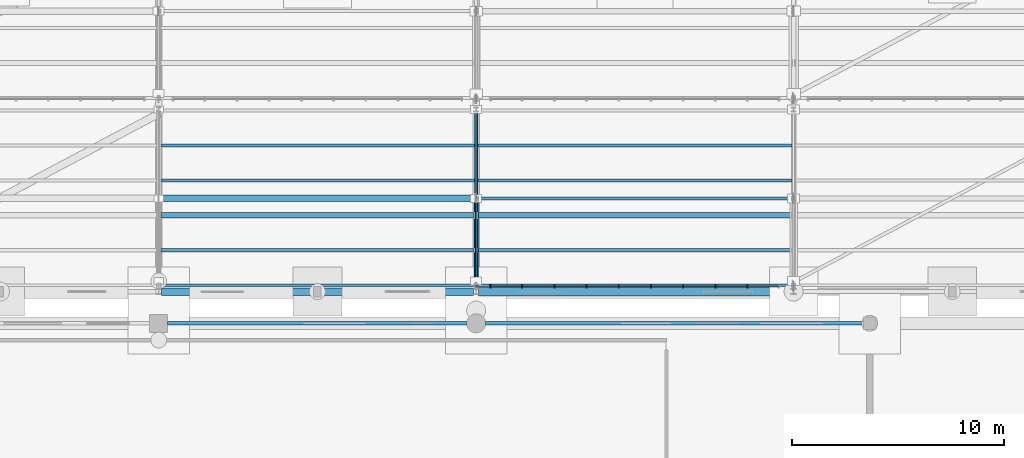
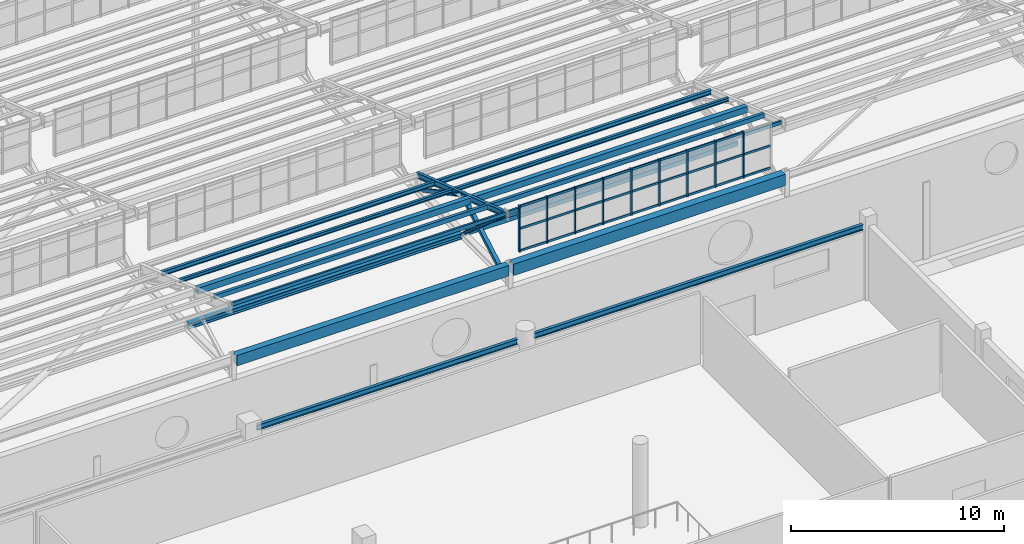
# One storey, part 43 of 285: 40 members, 15 beams, 1 element without a shape of its own.
"""IFC4 building model written with IfcOpenShell, lengths in metres."""

from ifc_helpers import new_model, si_unit, direction, frame, origin, origin_2d, place, context, subcontext, project, spatial, rectangle, hollow_rectangle, hollow_circle, i_section, extrude, material, material_profile, profile_set, type_object, element, aggregate, save


model = new_model("IFC4")

# Units and contexts
model_context = context("Model", 3, precision=1e-05, world=origin(), true_north=direction((0.0, 1.0)))
body_context = subcontext(model_context, "Body", "Model", "MODEL_VIEW")
ifc_project = project(units=[si_unit("LENGTHUNIT", "METRE"), si_unit("AREAUNIT", "SQUARE_METRE"), si_unit("VOLUMEUNIT", "CUBIC_METRE"), si_unit("PLANEANGLEUNIT", "RADIAN"), si_unit("MASSUNIT", "GRAM", prefix="KILO")], contexts=[model_context])

# Site, building, storey
site_placement = place(None, origin())
site = spatial("IfcSite", under=ifc_project, at=site_placement, CompositionType="ELEMENT")
building_placement = place(site_placement, origin())
building = spatial("IfcBuilding", under=site, at=building_placement, Name="Solanera Park Tramway Depot", CompositionType="ELEMENT")
storey_placement = place(building_placement, origin())
storey = spatial("IfcBuildingStorey", under=building, at=storey_placement, Name="L00", CompositionType="ELEMENT", Elevation=0.0)

# Curtain wall, members
ifc_material_1 = material(Name="Bronze-anodised thermally broken aluminium curtain wall", Category="aluminium")
curtain_wall_type = type_object("IfcCurtainWallType", Name="Sawtooth Clerestory Monitor Curtain Wall", PredefinedType="NOTDEFINED", material=ifc_material_1)
curtain_wall_placement = place(storey_placement, origin())
curtain_wall = element("IfcCurtainWall", 1, at=curtain_wall_placement, inside=storey, type_object=curtain_wall_type, Name="L00 Sawtooth Clerestory Monitor Curtain Wall #002", PredefinedType="NOTDEFINED")
ifc_material_2 = material(Name="Bronze-anodised structural aluminium 6063-T6", Category="aluminium")
ifc_material_profile_1 = material_profile(ifc_material_2, rectangle(XDim=0.06494140625, YDim=0.14990234375, at=origin_2d()), Name="Curtain Wall Mullion 65x150")
ifc_profile_set_1 = profile_set([ifc_material_profile_1], Name="Bronze-anodised structural aluminium 6063-T6")
member_type_1 = type_object("IfcMemberType", Name="Curtain Wall Mullion 65x150", PredefinedType="MULLION", material=ifc_profile_set_1)
member_1_placement = place(storey_placement, frame((75.6826171875, 55.75, 7.75), z_axis=(0.0, 0.0, 1.0), x_axis=(1.0, 0.0, 0.0)))
member_1 = element("IfcMember", 2, at=member_1_placement, type_object=member_type_1, Name="CW-L00-002 Mullion 1", PredefinedType="MULLION", context=body_context, shape_type="SweptSolid", body=[
    extrude(rectangle(XDim=0.06494140625, YDim=0.14990234375, at=origin_2d()), origin(), (0.0, 0.0, 1.0), 2.6611328125),
])
member_2_placement = place(storey_placement, frame((77.172119140625, 55.75, 7.75), z_axis=(0.0, 0.0, 1.0), x_axis=(1.0, 0.0, 0.0)))
member_2 = element("IfcMember", 3, at=member_2_placement, type_object=member_type_1, Name="CW-L00-002 Mullion 2", PredefinedType="MULLION", context=body_context, shape_type="SweptSolid", body=[
    extrude(rectangle(XDim=0.06494140625, YDim=0.14990234375, at=origin_2d()), origin(), (0.0, 0.0, 1.0), 2.6611328125),
])
member_3_placement = place(storey_placement, frame((78.6943359375, 55.75, 7.75), z_axis=(0.0, 0.0, 1.0), x_axis=(1.0, 0.0, 0.0)))
member_3 = element("IfcMember", 4, at=member_3_placement, type_object=member_type_1, Name="CW-L00-002 Mullion 3", PredefinedType="MULLION", context=body_context, shape_type="SweptSolid", body=[
    extrude(rectangle(XDim=0.06494140625, YDim=0.14990234375, at=origin_2d()), origin(), (0.0, 0.0, 1.0), 2.6611328125),
])
member_4_placement = place(storey_placement, frame((80.216796875, 55.75, 7.75), z_axis=(0.0, 0.0, 1.0), x_axis=(1.0, 0.0, 0.0)))
member_4 = element("IfcMember", 5, at=member_4_placement, type_object=member_type_1, Name="CW-L00-002 Mullion 4", PredefinedType="MULLION", context=body_context, shape_type="SweptSolid", body=[
    extrude(rectangle(XDim=0.06494140625, YDim=0.14990234375, at=origin_2d()), origin(), (0.0, 0.0, 1.0), 2.6611328125),
])
member_5_placement = place(storey_placement, frame((81.739013671875, 55.75, 7.75), z_axis=(0.0, 0.0, 1.0), x_axis=(1.0, 0.0, 0.0)))
member_5 = element("IfcMember", 6, at=member_5_placement, type_object=member_type_1, Name="CW-L00-002 Mullion 5", PredefinedType="MULLION", context=body_context, shape_type="SweptSolid", body=[
    extrude(rectangle(XDim=0.06494140625, YDim=0.14990234375, at=origin_2d()), origin(), (0.0, 0.0, 1.0), 2.6611328125),
])
member_6_placement = place(storey_placement, frame((83.260986328125, 55.75, 7.75), z_axis=(0.0, 0.0, 1.0), x_axis=(1.0, 0.0, 0.0)))
member_6 = element("IfcMember", 7, at=member_6_placement, type_object=member_type_1, Name="CW-L00-002 Mullion 6", PredefinedType="MULLION", context=body_context, shape_type="SweptSolid", body=[
    extrude(rectangle(XDim=0.06494140625, YDim=0.14990234375, at=origin_2d()), origin(), (0.0, 0.0, 1.0), 2.6611328125),
])
member_7_placement = place(storey_placement, frame((84.783203125, 55.75, 7.75), z_axis=(0.0, 0.0, 1.0), x_axis=(1.0, 0.0, 0.0)))
member_7 = element("IfcMember", 8, at=member_7_placement, type_object=member_type_1, Name="CW-L00-002 Mullion 7", PredefinedType="MULLION", context=body_context, shape_type="SweptSolid", body=[
    extrude(rectangle(XDim=0.06494140625, YDim=0.14990234375, at=origin_2d()), origin(), (0.0, 0.0, 1.0), 2.6611328125),
])
member_8_placement = place(storey_placement, frame((86.3056640625, 55.75, 7.75), z_axis=(0.0, 0.0, 1.0), x_axis=(1.0, 0.0, 0.0)))
member_8 = element("IfcMember", 9, at=member_8_placement, type_object=member_type_1, Name="CW-L00-002 Mullion 8", PredefinedType="MULLION", context=body_context, shape_type="SweptSolid", body=[
    extrude(rectangle(XDim=0.06494140625, YDim=0.14990234375, at=origin_2d()), origin(), (0.0, 0.0, 1.0), 2.6611328125),
])
member_9_placement = place(storey_placement, frame((87.827880859375, 55.75, 7.75), z_axis=(0.0, 0.0, 1.0), x_axis=(1.0, 0.0, 0.0)))
member_9 = element("IfcMember", 10, at=member_9_placement, type_object=member_type_1, Name="CW-L00-002 Mullion 9", PredefinedType="MULLION", context=body_context, shape_type="SweptSolid", body=[
    extrude(rectangle(XDim=0.06494140625, YDim=0.14990234375, at=origin_2d()), origin(), (0.0, 0.0, 1.0), 2.6611328125),
])
ifc_material_3 = material(Name="Bronze-anodised structural aluminium 6063-T6", Category="aluminium")
ifc_material_profile_2 = material_profile(ifc_material_3, rectangle(XDim=0.06494140625, YDim=0.1201171875, at=origin_2d()), Name="Curtain Wall Transom 65x120")
ifc_profile_set_2 = profile_set([ifc_material_profile_2], Name="Bronze-anodised structural aluminium 6063-T6")
member_type_2 = type_object("IfcMemberType", Name="Curtain Wall Transom 65x120", PredefinedType="USERDEFINED", material=ifc_profile_set_2)
member_10_placement = place(storey_placement, frame((75.71044921875, 55.75, 7.81005859375), z_axis=(1.0, 0.0, 0.0), x_axis=(0.0, 1.0, 0.0)))
member_10 = element("IfcMember", 11, at=member_10_placement, type_object=member_type_2, Name="CW-L00-002 Transom R1.C1", ObjectType="TRANSOM", PredefinedType="USERDEFINED", context=body_context, shape_type="SweptSolid", body=[
    extrude(rectangle(XDim=0.06494140625, YDim=0.1201171875, at=origin_2d()), origin(), (0.0, 0.0, 1.0), 1.433837890625),
])
member_11_placement = place(storey_placement, frame((77.2001953125, 55.75, 7.81005859375), z_axis=(1.0, 0.0, 0.0), x_axis=(0.0, 1.0, 0.0)))
member_11 = element("IfcMember", 12, at=member_11_placement, type_object=member_type_2, Name="CW-L00-002 Transom R1.C2", ObjectType="TRANSOM", PredefinedType="USERDEFINED", context=body_context, shape_type="SweptSolid", body=[
    extrude(rectangle(XDim=0.06494140625, YDim=0.1201171875, at=origin_2d()), origin(), (0.0, 0.0, 1.0), 1.46630859375),
])
member_12_placement = place(storey_placement, frame((78.722412109375, 55.75, 7.81005859375), z_axis=(1.0, 0.0, 0.0), x_axis=(0.0, 1.0, 0.0)))
member_12 = element("IfcMember", 13, at=member_12_placement, type_object=member_type_2, Name="CW-L00-002 Transom R1.C3", ObjectType="TRANSOM", PredefinedType="USERDEFINED", context=body_context, shape_type="SweptSolid", body=[
    extrude(rectangle(XDim=0.06494140625, YDim=0.1201171875, at=origin_2d()), origin(), (0.0, 0.0, 1.0), 1.46630859375),
])
member_13_placement = place(storey_placement, frame((80.24462890625, 55.75, 7.81005859375), z_axis=(1.0, 0.0, 0.0), x_axis=(0.0, 1.0, 0.0)))
member_13 = element("IfcMember", 14, at=member_13_placement, type_object=member_type_2, Name="CW-L00-002 Transom R1.C4", ObjectType="TRANSOM", PredefinedType="USERDEFINED", context=body_context, shape_type="SweptSolid", body=[
    extrude(rectangle(XDim=0.06494140625, YDim=0.1201171875, at=origin_2d()), origin(), (0.0, 0.0, 1.0), 1.46630859375),
])
member_14_placement = place(storey_placement, frame((81.766845703125, 55.75, 7.81005859375), z_axis=(1.0, 0.0, 0.0), x_axis=(0.0, 1.0, 0.0)))
member_14 = element("IfcMember", 15, at=member_14_placement, type_object=member_type_2, Name="CW-L00-002 Transom R1.C5", ObjectType="TRANSOM", PredefinedType="USERDEFINED", context=body_context, shape_type="SweptSolid", body=[
    extrude(rectangle(XDim=0.06494140625, YDim=0.1201171875, at=origin_2d()), origin(), (0.0, 0.0, 1.0), 1.46630859375),
])
member_15_placement = place(storey_placement, frame((83.2890625, 55.75, 7.81005859375), z_axis=(1.0, 0.0, 0.0), x_axis=(0.0, 1.0, 0.0)))
member_15 = element("IfcMember", 16, at=member_15_placement, type_object=member_type_2, Name="CW-L00-002 Transom R1.C6", ObjectType="TRANSOM", PredefinedType="USERDEFINED", context=body_context, shape_type="SweptSolid", body=[
    extrude(rectangle(XDim=0.06494140625, YDim=0.1201171875, at=origin_2d()), origin(), (0.0, 0.0, 1.0), 1.46630859375),
])
member_16_placement = place(storey_placement, frame((84.811279296875, 55.75, 7.81005859375), z_axis=(1.0, 0.0, 0.0), x_axis=(0.0, 1.0, 0.0)))
member_16 = element("IfcMember", 17, at=member_16_placement, type_object=member_type_2, Name="CW-L00-002 Transom R1.C7", ObjectType="TRANSOM", PredefinedType="USERDEFINED", context=body_context, shape_type="SweptSolid", body=[
    extrude(rectangle(XDim=0.06494140625, YDim=0.1201171875, at=origin_2d()), origin(), (0.0, 0.0, 1.0), 1.46630859375),
])
member_17_placement = place(storey_placement, frame((86.33349609375, 55.75, 7.81005859375), z_axis=(1.0, 0.0, 0.0), x_axis=(0.0, 1.0, 0.0)))
member_17 = element("IfcMember", 18, at=member_17_placement, type_object=member_type_2, Name="CW-L00-002 Transom R1.C8", ObjectType="TRANSOM", PredefinedType="USERDEFINED", context=body_context, shape_type="SweptSolid", body=[
    extrude(rectangle(XDim=0.06494140625, YDim=0.1201171875, at=origin_2d()), origin(), (0.0, 0.0, 1.0), 1.46630859375),
])
member_18_placement = place(storey_placement, frame((87.855712890625, 55.75, 7.81005859375), z_axis=(1.0, 0.0, 0.0), x_axis=(0.0, 1.0, 0.0)))
member_18 = element("IfcMember", 19, at=member_18_placement, type_object=member_type_2, Name="CW-L00-002 Transom R1.C9", ObjectType="TRANSOM", PredefinedType="USERDEFINED", context=body_context, shape_type="SweptSolid", body=[
    extrude(rectangle(XDim=0.06494140625, YDim=0.1201171875, at=origin_2d()), origin(), (0.0, 0.0, 1.0), 1.433837890625),
])
member_19_placement = place(storey_placement, frame((75.71044921875, 55.75, 9.08056640625), z_axis=(1.0, 0.0, 0.0), x_axis=(0.0, 1.0, 0.0)))
member_19 = element("IfcMember", 20, at=member_19_placement, type_object=member_type_2, Name="CW-L00-002 Transom R2.C1", ObjectType="TRANSOM", PredefinedType="USERDEFINED", context=body_context, shape_type="SweptSolid", body=[
    extrude(rectangle(XDim=0.06494140625, YDim=0.1201171875, at=origin_2d()), origin(), (0.0, 0.0, 1.0), 1.433837890625),
])
member_20_placement = place(storey_placement, frame((77.2001953125, 55.75, 9.08056640625), z_axis=(1.0, 0.0, 0.0), x_axis=(0.0, 1.0, 0.0)))
member_20 = element("IfcMember", 21, at=member_20_placement, type_object=member_type_2, Name="CW-L00-002 Transom R2.C2", ObjectType="TRANSOM", PredefinedType="USERDEFINED", context=body_context, shape_type="SweptSolid", body=[
    extrude(rectangle(XDim=0.06494140625, YDim=0.1201171875, at=origin_2d()), origin(), (0.0, 0.0, 1.0), 1.46630859375),
])
member_21_placement = place(storey_placement, frame((78.722412109375, 55.75, 9.08056640625), z_axis=(1.0, 0.0, 0.0), x_axis=(0.0, 1.0, 0.0)))
member_21 = element("IfcMember", 22, at=member_21_placement, type_object=member_type_2, Name="CW-L00-002 Transom R2.C3", ObjectType="TRANSOM", PredefinedType="USERDEFINED", context=body_context, shape_type="SweptSolid", body=[
    extrude(rectangle(XDim=0.06494140625, YDim=0.1201171875, at=origin_2d()), origin(), (0.0, 0.0, 1.0), 1.46630859375),
])
member_22_placement = place(storey_placement, frame((80.24462890625, 55.75, 9.08056640625), z_axis=(1.0, 0.0, 0.0), x_axis=(0.0, 1.0, 0.0)))
member_22 = element("IfcMember", 23, at=member_22_placement, type_object=member_type_2, Name="CW-L00-002 Transom R2.C4", ObjectType="TRANSOM", PredefinedType="USERDEFINED", context=body_context, shape_type="SweptSolid", body=[
    extrude(rectangle(XDim=0.06494140625, YDim=0.1201171875, at=origin_2d()), origin(), (0.0, 0.0, 1.0), 1.46630859375),
])
member_23_placement = place(storey_placement, frame((81.766845703125, 55.75, 9.08056640625), z_axis=(1.0, 0.0, 0.0), x_axis=(0.0, 1.0, 0.0)))
member_23 = element("IfcMember", 24, at=member_23_placement, type_object=member_type_2, Name="CW-L00-002 Transom R2.C5", ObjectType="TRANSOM", PredefinedType="USERDEFINED", context=body_context, shape_type="SweptSolid", body=[
    extrude(rectangle(XDim=0.06494140625, YDim=0.1201171875, at=origin_2d()), origin(), (0.0, 0.0, 1.0), 1.46630859375),
])
member_24_placement = place(storey_placement, frame((83.2890625, 55.75, 9.08056640625), z_axis=(1.0, 0.0, 0.0), x_axis=(0.0, 1.0, 0.0)))
member_24 = element("IfcMember", 25, at=member_24_placement, type_object=member_type_2, Name="CW-L00-002 Transom R2.C6", ObjectType="TRANSOM", PredefinedType="USERDEFINED", context=body_context, shape_type="SweptSolid", body=[
    extrude(rectangle(XDim=0.06494140625, YDim=0.1201171875, at=origin_2d()), origin(), (0.0, 0.0, 1.0), 1.46630859375),
])
member_25_placement = place(storey_placement, frame((84.811279296875, 55.75, 9.08056640625), z_axis=(1.0, 0.0, 0.0), x_axis=(0.0, 1.0, 0.0)))
member_25 = element("IfcMember", 26, at=member_25_placement, type_object=member_type_2, Name="CW-L00-002 Transom R2.C7", ObjectType="TRANSOM", PredefinedType="USERDEFINED", context=body_context, shape_type="SweptSolid", body=[
    extrude(rectangle(XDim=0.06494140625, YDim=0.1201171875, at=origin_2d()), origin(), (0.0, 0.0, 1.0), 1.46630859375),
])
member_26_placement = place(storey_placement, frame((86.33349609375, 55.75, 9.08056640625), z_axis=(1.0, 0.0, 0.0), x_axis=(0.0, 1.0, 0.0)))
member_26 = element("IfcMember", 27, at=member_26_placement, type_object=member_type_2, Name="CW-L00-002 Transom R2.C8", ObjectType="TRANSOM", PredefinedType="USERDEFINED", context=body_context, shape_type="SweptSolid", body=[
    extrude(rectangle(XDim=0.06494140625, YDim=0.1201171875, at=origin_2d()), origin(), (0.0, 0.0, 1.0), 1.46630859375),
])
member_27_placement = place(storey_placement, frame((87.855712890625, 55.75, 9.08056640625), z_axis=(1.0, 0.0, 0.0), x_axis=(0.0, 1.0, 0.0)))
member_27 = element("IfcMember", 28, at=member_27_placement, type_object=member_type_2, Name="CW-L00-002 Transom R2.C9", ObjectType="TRANSOM", PredefinedType="USERDEFINED", context=body_context, shape_type="SweptSolid", body=[
    extrude(rectangle(XDim=0.06494140625, YDim=0.1201171875, at=origin_2d()), origin(), (0.0, 0.0, 1.0), 1.433837890625),
])
member_28_placement = place(storey_placement, frame((75.71044921875, 55.75, 10.351318359375), z_axis=(1.0, 0.0, 0.0), x_axis=(0.0, 1.0, 0.0)))
member_28 = element("IfcMember", 29, at=member_28_placement, type_object=member_type_2, Name="CW-L00-002 Transom R3.C1", ObjectType="TRANSOM", PredefinedType="USERDEFINED", context=body_context, shape_type="SweptSolid", body=[
    extrude(rectangle(XDim=0.06494140625, YDim=0.1201171875, at=origin_2d()), origin(), (0.0, 0.0, 1.0), 1.433837890625),
])
member_29_placement = place(storey_placement, frame((77.2001953125, 55.75, 10.351318359375), z_axis=(1.0, 0.0, 0.0), x_axis=(0.0, 1.0, 0.0)))
member_29 = element("IfcMember", 30, at=member_29_placement, type_object=member_type_2, Name="CW-L00-002 Transom R3.C2", ObjectType="TRANSOM", PredefinedType="USERDEFINED", context=body_context, shape_type="SweptSolid", body=[
    extrude(rectangle(XDim=0.06494140625, YDim=0.1201171875, at=origin_2d()), origin(), (0.0, 0.0, 1.0), 1.46630859375),
])
member_30_placement = place(storey_placement, frame((78.722412109375, 55.75, 10.351318359375), z_axis=(1.0, 0.0, 0.0), x_axis=(0.0, 1.0, 0.0)))
member_30 = element("IfcMember", 31, at=member_30_placement, type_object=member_type_2, Name="CW-L00-002 Transom R3.C3", ObjectType="TRANSOM", PredefinedType="USERDEFINED", context=body_context, shape_type="SweptSolid", body=[
    extrude(rectangle(XDim=0.06494140625, YDim=0.1201171875, at=origin_2d()), origin(), (0.0, 0.0, 1.0), 1.46630859375),
])
member_31_placement = place(storey_placement, frame((80.24462890625, 55.75, 10.351318359375), z_axis=(1.0, 0.0, 0.0), x_axis=(0.0, 1.0, 0.0)))
member_31 = element("IfcMember", 32, at=member_31_placement, type_object=member_type_2, Name="CW-L00-002 Transom R3.C4", ObjectType="TRANSOM", PredefinedType="USERDEFINED", context=body_context, shape_type="SweptSolid", body=[
    extrude(rectangle(XDim=0.06494140625, YDim=0.1201171875, at=origin_2d()), origin(), (0.0, 0.0, 1.0), 1.46630859375),
])
member_32_placement = place(storey_placement, frame((81.766845703125, 55.75, 10.351318359375), z_axis=(1.0, 0.0, 0.0), x_axis=(0.0, 1.0, 0.0)))
member_32 = element("IfcMember", 33, at=member_32_placement, type_object=member_type_2, Name="CW-L00-002 Transom R3.C5", ObjectType="TRANSOM", PredefinedType="USERDEFINED", context=body_context, shape_type="SweptSolid", body=[
    extrude(rectangle(XDim=0.06494140625, YDim=0.1201171875, at=origin_2d()), origin(), (0.0, 0.0, 1.0), 1.46630859375),
])
member_33_placement = place(storey_placement, frame((83.2890625, 55.75, 10.351318359375), z_axis=(1.0, 0.0, 0.0), x_axis=(0.0, 1.0, 0.0)))
member_33 = element("IfcMember", 34, at=member_33_placement, type_object=member_type_2, Name="CW-L00-002 Transom R3.C6", ObjectType="TRANSOM", PredefinedType="USERDEFINED", context=body_context, shape_type="SweptSolid", body=[
    extrude(rectangle(XDim=0.06494140625, YDim=0.1201171875, at=origin_2d()), origin(), (0.0, 0.0, 1.0), 1.46630859375),
])
member_34_placement = place(storey_placement, frame((84.811279296875, 55.75, 10.351318359375), z_axis=(1.0, 0.0, 0.0), x_axis=(0.0, 1.0, 0.0)))
member_34 = element("IfcMember", 35, at=member_34_placement, type_object=member_type_2, Name="CW-L00-002 Transom R3.C7", ObjectType="TRANSOM", PredefinedType="USERDEFINED", context=body_context, shape_type="SweptSolid", body=[
    extrude(rectangle(XDim=0.06494140625, YDim=0.1201171875, at=origin_2d()), origin(), (0.0, 0.0, 1.0), 1.46630859375),
])
member_35_placement = place(storey_placement, frame((86.33349609375, 55.75, 10.351318359375), z_axis=(1.0, 0.0, 0.0), x_axis=(0.0, 1.0, 0.0)))
member_35 = element("IfcMember", 36, at=member_35_placement, type_object=member_type_2, Name="CW-L00-002 Transom R3.C8", ObjectType="TRANSOM", PredefinedType="USERDEFINED", context=body_context, shape_type="SweptSolid", body=[
    extrude(rectangle(XDim=0.06494140625, YDim=0.1201171875, at=origin_2d()), origin(), (0.0, 0.0, 1.0), 1.46630859375),
])
aggregate(curtain_wall, [member_1, member_2, member_3, member_4, member_5, member_6, member_7, member_8, member_9, member_10, member_11, member_12, member_13, member_14, member_15, member_16, member_17, member_18, member_19, member_20, member_21, member_22, member_23, member_24, member_25, member_26, member_27, member_28, member_29, member_30, member_31, member_32, member_33, member_34, member_35])

# Beams
ifc_material_4 = material(Name="Concrete N40 (C40/50)", Category="concrete")
ifc_material_profile_3 = material_profile(ifc_material_4, rectangle(XDim=0.35009765625, YDim=0.60009765625, at=origin_2d()), Name="SPB 350x600")
ifc_profile_set_3 = profile_set([ifc_material_profile_3], Name="Concrete N40 (C40/50)")
beam_type_1 = type_object("IfcBeamType", Name="Perimeter Spandrel Beam SPB 350x600", PredefinedType="SPANDREL", material=ifc_profile_set_3)
beam_1_placement = place(storey_placement, frame((60.1201171875, 55.5, 7.199951171875), z_axis=(1.0, 0.0, 0.0), x_axis=(0.0, 1.0, 0.0)))
element("IfcBeam", 37, at=beam_1_placement, inside=storey, type_object=beam_type_1, Name="L00 Hall Eave Spandrel SPB 350x600 #0286", PredefinedType="SPANDREL", context=body_context, shape_type="SweptSolid", body=[
    extrude(rectangle(XDim=0.35009765625, YDim=0.60009765625, at=origin_2d()), origin(), (0.0, 0.0, 1.0), 14.759765625),
])
ifc_material_5 = material(Name="Concrete N40 (C40/50)", Category="concrete")
ifc_material_profile_4 = material_profile(ifc_material_5, rectangle(XDim=0.39990234375, YDim=0.64990234375, at=origin_2d()), Name="SPB 400x650")
ifc_profile_set_4 = profile_set([ifc_material_profile_4], Name="Concrete N40 (C40/50)")
beam_type_2 = type_object("IfcBeamType", Name="Perimeter Spandrel Beam SPB 400x650", PredefinedType="SPANDREL", material=ifc_profile_set_4)
beam_2_placement = place(storey_placement, frame((75.1201171875, 55.5, 7.175048828125), z_axis=(1.0, 0.0, 0.0), x_axis=(0.0, 1.0, 0.0)))
element("IfcBeam", 38, at=beam_2_placement, inside=storey, type_object=beam_type_2, Name="L00 Hall Eave Spandrel SPB 400x650 #0287", PredefinedType="SPANDREL", context=body_context, shape_type="SweptSolid", body=[
    extrude(rectangle(XDim=0.39990234375, YDim=0.64990234375, at=origin_2d()), origin(), (0.0, 0.0, 1.0), 14.759765625),
])

# Members
ifc_material_6 = material(Name="Steel AS/NZS 1163 Grade C350L0", Category="steel")
ifc_material_profile_5 = material_profile(ifc_material_6, hollow_rectangle(XDim=0.199951171875, YDim=0.199951171875, WallThickness=0.008056640625, at=origin_2d()), Name="200x200x8.0 SHS")
ifc_profile_set_5 = profile_set([ifc_material_profile_5], Name="Steel AS/NZS 1163 Grade C350L0")
member_type_3 = type_object("IfcMemberType", Name="Roof Gantry Compression Strut 200x200x8.0 SHS", PredefinedType="STRUT", material=ifc_profile_set_5)
member_36_placement = place(storey_placement, frame((75.0, 56.0, 6.5), z_axis=(0.0, 0.866884023838, 0.498509868723), x_axis=(-1.0, 0.0, 0.0)))
element("IfcMember", 39, at=member_36_placement, inside=storey, type_object=member_type_3, Name="Sawtooth ROOF TRUSS Strut 200x200x8.0 SHS #0021", PredefinedType="STRUT", context=body_context, shape_type="SweptSolid", body=[
    extrude(hollow_rectangle(XDim=0.199951171875, YDim=0.199951171875, WallThickness=0.008056640625, at=origin_2d()), origin(), (0.0, 0.0, 1.0), 4.498779296875),
])
ifc_material_7 = material(Name="Steel AS/NZS 1163 Grade C350L0", Category="steel")
ifc_material_profile_6 = material_profile(ifc_material_7, hollow_rectangle(XDim=0.14990234375, YDim=0.25, WallThickness=0.008056640625, at=origin_2d()), Name="250x150x8.0 RHS")
ifc_profile_set_6 = profile_set([ifc_material_profile_6], Name="Steel AS/NZS 1163 Grade C350L0")
member_type_4 = type_object("IfcMemberType", Name="Secondary Truss Chord 250x150x8.0 RHS", PredefinedType="CHORD", material=ifc_profile_set_6)
member_37_placement = place(storey_placement, frame((75.087890625, 59.89990234375, 6.5), z_axis=(1.0, 0.0, 0.0), x_axis=(0.0, 1.0, 0.0)))
element("IfcMember", 40, at=member_37_placement, inside=storey, type_object=member_type_4, Name="Sawtooth Longitudinal Tie Chord 250x150x8.0 RHS #0040", PredefinedType="CHORD", context=body_context, shape_type="SweptSolid", body=[
    extrude(hollow_rectangle(XDim=0.14990234375, YDim=0.25, WallThickness=0.008056640625, at=origin_2d()), origin(), (0.0, 0.0, 1.0), 14.82421875),
])
ifc_material_8 = material(Name="Steel AS/NZS 3679.1 Grade 350", Category="steel")
ifc_material_profile_7 = material_profile(ifc_material_8, i_section(OverallWidth=0.310546875, OverallDepth=0.3271484375, WebThickness=0.015625, FlangeThickness=0.02490234375, at=origin_2d()), Name="310UC158")
ifc_profile_set_7 = profile_set([ifc_material_profile_7], Name="Steel AS/NZS 3679.1 Grade 350")
member_type_5 = type_object("IfcMemberType", Name="Secondary Truss Chord 310UC158", PredefinedType="CHORD", material=ifc_profile_set_7)
member_38_placement = place(storey_placement, frame((60.087890625, 59.89990234375, 6.5), z_axis=(1.0, 0.0, 0.0), x_axis=(0.0, 1.0, 0.0)))
element("IfcMember", 41, at=member_38_placement, inside=storey, type_object=member_type_5, Name="Sawtooth Longitudinal Tie Chord 310UC158 #0039", PredefinedType="CHORD", context=body_context, shape_type="SweptSolid", body=[
    extrude(i_section(OverallWidth=0.310546875, OverallDepth=0.3271484375, WebThickness=0.015625, FlangeThickness=0.02490234375, at=origin_2d()), origin(), (0.0, 0.0, 1.0), 14.82421875),
])

# Beams
ifc_material_9 = material(Name="Steel AS/NZS 3679.1 Grade 350", Category="steel")
ifc_material_profile_8 = material_profile(ifc_material_9, i_section(OverallWidth=0.166015625, OverallDepth=0.30712890625, WebThickness=0.006591796875, FlangeThickness=0.01171875, at=origin_2d()), Name="310UB46.2")
ifc_profile_set_8 = profile_set([ifc_material_profile_8], Name="Steel AS/NZS 3679.1 Grade 350")
beam_type_3 = type_object("IfcBeamType", Name="Steel Beam 310UB46.2", PredefinedType="BEAM", material=ifc_profile_set_8)
beam_3_placement = place(storey_placement, frame((75.0, 55.75, 10.131103515625), z_axis=(0.0, 0.948330572612, -0.317283981709), x_axis=(-1.0, 0.0, 0.0)))
element("IfcBeam", 42, at=beam_3_placement, inside=storey, type_object=beam_type_3, Name="Sawtooth ROOF TRUSS Top Rafter 310UB46.2 B01-T5", PredefinedType="BEAM", context=body_context, shape_type="SweptSolid", body=[
    extrude(i_section(OverallWidth=0.166015625, OverallDepth=0.30712890625, WebThickness=0.006591796875, FlangeThickness=0.01171875, at=origin_2d()), origin(), (0.0, 0.0, 1.0), 8.804931640625),
])
beam_4_placement = place(storey_placement, frame((60.425048828125, 54.0, 4.091552734375), z_axis=(1.0, 0.0, 0.0), x_axis=(0.0, 1.0, 0.0)))
element("IfcBeam", 43, at=beam_4_placement, inside=storey, type_object=beam_type_3, Name="L00 Workshop North Spandrel Girt 310UB46.2 #05", PredefinedType="BEAM", context=body_context, shape_type="SweptSolid", body=[
    extrude(i_section(OverallWidth=0.166015625, OverallDepth=0.30712890625, WebThickness=0.006591796875, FlangeThickness=0.01171875, at=origin_2d()), origin(), (0.0, 0.0, 1.0), 14.125),
])
beam_5_placement = place(storey_placement, frame((75.449951171875, 54.0, 4.091552734375), z_axis=(1.0, 0.0, 0.0), x_axis=(0.0, 1.0, 0.0)))
element("IfcBeam", 44, at=beam_5_placement, inside=storey, type_object=beam_type_3, Name="L00 Workshop North Spandrel Girt 310UB46.2 #06", PredefinedType="BEAM", context=body_context, shape_type="SweptSolid", body=[
    extrude(i_section(OverallWidth=0.166015625, OverallDepth=0.30712890625, WebThickness=0.006591796875, FlangeThickness=0.01171875, at=origin_2d()), origin(), (0.0, 0.0, 1.0), 17.85009765625),
])
ifc_material_10 = material(Name="Steel AS/NZS 3679.1 Grade 350", Category="steel")
ifc_material_profile_9 = material_profile(ifc_material_10, i_section(OverallWidth=0.13330078125, OverallDepth=0.203125, WebThickness=0.005859375, FlangeThickness=0.0078125, at=origin_2d()), Name="200UB25.4")
ifc_profile_set_9 = profile_set([ifc_material_profile_9], Name="Steel AS/NZS 3679.1 Grade 350")
beam_type_4 = type_object("IfcBeamType", Name="Steel Joist Purlin 200UB25.4", PredefinedType="JOIST", material=ifc_profile_set_9)
beam_6_placement = place(storey_placement, frame((60.0966796875, 60.75, 8.510009765625), z_axis=(1.0, 0.0, 0.0), x_axis=(0.0, 1.0, 0.0)))
element("IfcBeam", 45, at=beam_6_placement, inside=storey, type_object=beam_type_4, Name="Sawtooth Roof Purlin 200UB25.4 B01.4", PredefinedType="JOIST", context=body_context, shape_type="SweptSolid", body=[
    extrude(i_section(OverallWidth=0.13330078125, OverallDepth=0.203125, WebThickness=0.005859375, FlangeThickness=0.0078125, at=origin_2d()), origin(), (0.0, 0.0, 1.0), 14.828369140625),
])
beam_7_placement = place(storey_placement, frame((75.074951171875, 60.75, 8.510009765625), z_axis=(1.0, 0.0, 0.0), x_axis=(0.0, 1.0, 0.0)))
element("IfcBeam", 46, at=beam_7_placement, inside=storey, type_object=beam_type_4, Name="Sawtooth Roof Purlin 200UB25.4 B01.4", PredefinedType="JOIST", context=body_context, shape_type="SweptSolid", body=[
    extrude(i_section(OverallWidth=0.13330078125, OverallDepth=0.203125, WebThickness=0.005859375, FlangeThickness=0.0078125, at=origin_2d()), origin(), (0.0, 0.0, 1.0), 14.84716796875),
])
ifc_material_11 = material(Name="Steel AS/NZS 1163 Grade C350L0", Category="steel")
ifc_material_profile_10 = material_profile(ifc_material_11, hollow_rectangle(XDim=0.10009765625, YDim=0.199951171875, WallThickness=0.006103515625, at=origin_2d()), Name="200x100x6.0 RHS")
ifc_profile_set_10 = profile_set([ifc_material_profile_10], Name="Steel AS/NZS 1163 Grade C350L0")
beam_type_5 = type_object("IfcBeamType", Name="Steel Joist Purlin 200x100x6.0 RHS", PredefinedType="JOIST", material=ifc_profile_set_10)
beam_8_placement = place(storey_placement, frame((60.0966796875, 55.800048828125, 10.17333984375), z_axis=(1.0, 0.0, 0.0), x_axis=(0.0, 1.0, 0.0)))
element("IfcBeam", 47, at=beam_8_placement, inside=storey, type_object=beam_type_5, Name="Sawtooth Roof Purlin 200x100x6.0 RHS B01.1", PredefinedType="JOIST", context=body_context, shape_type="SweptSolid", body=[
    extrude(hollow_rectangle(XDim=0.10009765625, YDim=0.199951171875, WallThickness=0.006103515625, at=origin_2d()), origin(), (0.0, 0.0, 1.0), 14.828369140625),
])
beam_9_placement = place(storey_placement, frame((75.074951171875, 55.800048828125, 10.17333984375), z_axis=(1.0, 0.0, 0.0), x_axis=(0.0, 1.0, 0.0)))
element("IfcBeam", 48, at=beam_9_placement, inside=storey, type_object=beam_type_5, Name="Sawtooth Roof Purlin 200x100x6.0 RHS B01.1", PredefinedType="JOIST", context=body_context, shape_type="SweptSolid", body=[
    extrude(hollow_rectangle(XDim=0.10009765625, YDim=0.199951171875, WallThickness=0.006103515625, at=origin_2d()), origin(), (0.0, 0.0, 1.0), 14.84716796875),
])
ifc_material_12 = material(Name="Steel AS/NZS 3679.1 Grade 350", Category="steel")
ifc_material_profile_11 = material_profile(ifc_material_12, i_section(OverallWidth=0.14599609375, OverallDepth=0.251708984375, WebThickness=0.006103515625, FlangeThickness=0.008544921875, at=origin_2d()), Name="250UB31.4")
ifc_profile_set_11 = profile_set([ifc_material_profile_11], Name="Steel AS/NZS 3679.1 Grade 350")
beam_type_6 = type_object("IfcBeamType", Name="Steel Joist Purlin 250UB31.4", PredefinedType="JOIST", material=ifc_profile_set_11)
beam_10_placement = place(storey_placement, frame((60.0966796875, 62.39990234375, 7.931396484375), z_axis=(1.0, 0.0, 0.0), x_axis=(0.0, 1.0, 0.0)))
element("IfcBeam", 49, at=beam_10_placement, inside=storey, type_object=beam_type_6, Name="Sawtooth Roof Purlin 250UB31.4 B01.5", PredefinedType="JOIST", context=body_context, shape_type="SweptSolid", body=[
    extrude(i_section(OverallWidth=0.14599609375, OverallDepth=0.251708984375, WebThickness=0.006103515625, FlangeThickness=0.008544921875, at=origin_2d()), origin(), (0.0, 0.0, 1.0), 14.828369140625),
])
beam_11_placement = place(storey_placement, frame((75.074951171875, 62.39990234375, 7.931396484375), z_axis=(1.0, 0.0, 0.0), x_axis=(0.0, 1.0, 0.0)))
element("IfcBeam", 50, at=beam_11_placement, inside=storey, type_object=beam_type_6, Name="Sawtooth Roof Purlin 250UB31.4 B01.5", PredefinedType="JOIST", context=body_context, shape_type="SweptSolid", body=[
    extrude(i_section(OverallWidth=0.14599609375, OverallDepth=0.251708984375, WebThickness=0.006103515625, FlangeThickness=0.008544921875, at=origin_2d()), origin(), (0.0, 0.0, 1.0), 14.84716796875),
])
ifc_material_13 = material(Name="Steel AS/NZS 1163 Grade C350L0", Category="steel")
ifc_material_profile_12 = material_profile(ifc_material_13, hollow_rectangle(XDim=0.14990234375, YDim=0.25, WallThickness=0.008056640625, at=origin_2d()), Name="250x150x8.0 RHS")
ifc_profile_set_12 = profile_set([ifc_material_profile_12], Name="Steel AS/NZS 1163 Grade C350L0")
beam_type_7 = type_object("IfcBeamType", Name="Steel Joist Purlin 250x150x8.0 RHS", PredefinedType="JOIST", material=ifc_profile_set_12)
beam_12_placement = place(storey_placement, frame((60.0966796875, 57.449951171875, 9.587890625), z_axis=(1.0, 0.0, 0.0), x_axis=(0.0, 1.0, 0.0)))
element("IfcBeam", 51, at=beam_12_placement, inside=storey, type_object=beam_type_7, Name="Sawtooth Roof Purlin 250x150x8.0 RHS B01.2", PredefinedType="JOIST", context=body_context, shape_type="SweptSolid", body=[
    extrude(hollow_rectangle(XDim=0.14990234375, YDim=0.25, WallThickness=0.008056640625, at=origin_2d()), origin(), (0.0, 0.0, 1.0), 14.828369140625),
])
beam_13_placement = place(storey_placement, frame((75.074951171875, 57.449951171875, 9.587890625), z_axis=(1.0, 0.0, 0.0), x_axis=(0.0, 1.0, 0.0)))
element("IfcBeam", 52, at=beam_13_placement, inside=storey, type_object=beam_type_7, Name="Sawtooth Roof Purlin 250x150x8.0 RHS B01.2", PredefinedType="JOIST", context=body_context, shape_type="SweptSolid", body=[
    extrude(hollow_rectangle(XDim=0.14990234375, YDim=0.25, WallThickness=0.008056640625, at=origin_2d()), origin(), (0.0, 0.0, 1.0), 14.84716796875),
])
ifc_material_14 = material(Name="Steel AS/NZS 1163 Grade C350L0", Category="steel")
ifc_material_profile_13 = material_profile(ifc_material_14, hollow_rectangle(XDim=0.25, YDim=0.35009765625, WallThickness=0.010009765625, at=origin_2d()), Name="350x250x10.0 RHS")
ifc_profile_set_13 = profile_set([ifc_material_profile_13], Name="Steel AS/NZS 1163 Grade C350L0")
beam_type_8 = type_object("IfcBeamType", Name="Steel Joist Purlin 350x250x10.0 RHS", PredefinedType="JOIST", material=ifc_profile_set_13)
beam_14_placement = place(storey_placement, frame((60.0966796875, 59.10009765625, 8.968994140625), z_axis=(1.0, 0.0, 0.0), x_axis=(0.0, 1.0, 0.0)))
element("IfcBeam", 53, at=beam_14_placement, inside=storey, type_object=beam_type_8, Name="Sawtooth Roof Purlin 350x250x10.0 RHS B01.3", PredefinedType="JOIST", context=body_context, shape_type="SweptSolid", body=[
    extrude(hollow_rectangle(XDim=0.25, YDim=0.35009765625, WallThickness=0.010009765625, at=origin_2d()), origin(), (0.0, 0.0, 1.0), 14.828369140625),
])
beam_15_placement = place(storey_placement, frame((75.074951171875, 59.10009765625, 8.968994140625), z_axis=(1.0, 0.0, 0.0), x_axis=(0.0, 1.0, 0.0)))
element("IfcBeam", 54, at=beam_15_placement, inside=storey, type_object=beam_type_8, Name="Sawtooth Roof Purlin 350x250x10.0 RHS B01.3", PredefinedType="JOIST", context=body_context, shape_type="SweptSolid", body=[
    extrude(hollow_rectangle(XDim=0.25, YDim=0.35009765625, WallThickness=0.010009765625, at=origin_2d()), origin(), (0.0, 0.0, 1.0), 14.84716796875),
])

# Members
ifc_material_15 = material(Name="Steel AS/NZS 1163 Grade C350L0", Category="steel")
ifc_material_profile_14 = material_profile(ifc_material_15, hollow_circle(Radius=0.084228515625, WallThickness=0.00634765625, at=origin_2d()), Name="168.3x6.4 CHS")
ifc_profile_set_14 = profile_set([ifc_material_profile_14], Name="Steel AS/NZS 1163 Grade C350L0")
member_type_6 = type_object("IfcMemberType", Name="Truss and Frame Brace 168.3x6.4 CHS", PredefinedType="BRACE", material=ifc_profile_set_14)
member_39_placement = place(storey_placement, frame((75.0, 59.89990234375, 6.5), z_axis=(0.0, -0.752582180048, 0.658498338855), x_axis=(1.0, 0.0, 0.0)))
element("IfcMember", 55, at=member_39_placement, inside=storey, type_object=member_type_6, Name="Sawtooth ROOF TRUSS Web Brace 168.3x6.4 CHS #0019", PredefinedType="BRACE", context=body_context, shape_type="SweptSolid", body=[
    extrude(hollow_circle(Radius=0.084228515625, WallThickness=0.00634765625, at=origin_2d()), origin(), (0.0, 0.0, 1.0), 5.51416015625),
])
ifc_material_16 = material(Name="Steel AS/NZS 1163 Grade C350L0", Category="steel")
ifc_material_profile_15 = material_profile(ifc_material_16, hollow_rectangle(XDim=0.10009765625, YDim=0.199951171875, WallThickness=0.006103515625, at=origin_2d()), Name="200x100x6.0 RHS")
ifc_profile_set_15 = profile_set([ifc_material_profile_15], Name="Steel AS/NZS 1163 Grade C350L0")
member_type_7 = type_object("IfcMemberType", Name="Truss and Frame Brace 200x100x6.0 RHS", PredefinedType="BRACE", material=ifc_profile_set_15)
member_40_placement = place(storey_placement, frame((75.0, 64.10009765625, 6.5), z_axis=(0.0, -0.88212858105, 0.471008669235), x_axis=(1.0, 0.0, 0.0)))
element("IfcMember", 56, at=member_40_placement, inside=storey, type_object=member_type_7, Name="Sawtooth ROOF TRUSS Diagonal 200x100x6.0 RHS #0020", PredefinedType="BRACE", context=body_context, shape_type="SweptSolid", body=[
    extrude(hollow_rectangle(XDim=0.10009765625, YDim=0.199951171875, WallThickness=0.006103515625, at=origin_2d()), origin(), (0.0, 0.0, 1.0), 4.761474609375),
])

save(model, "model.ifc")
